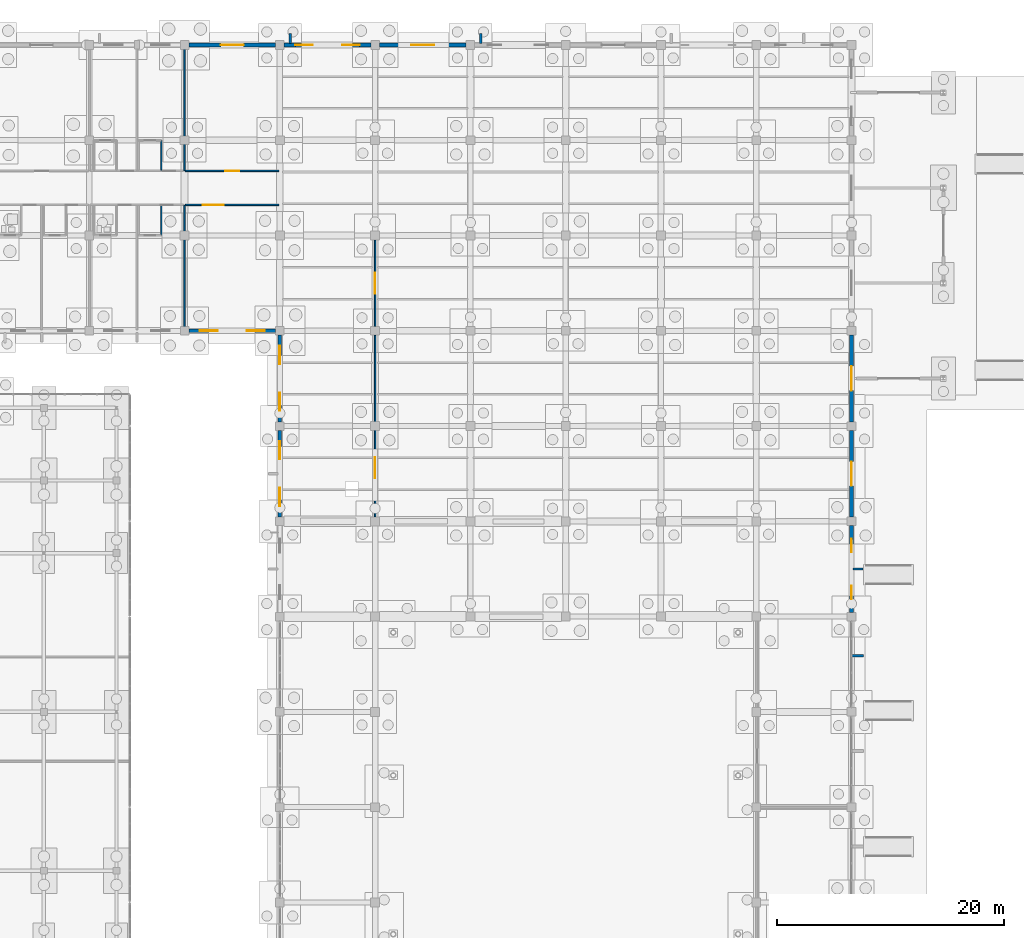
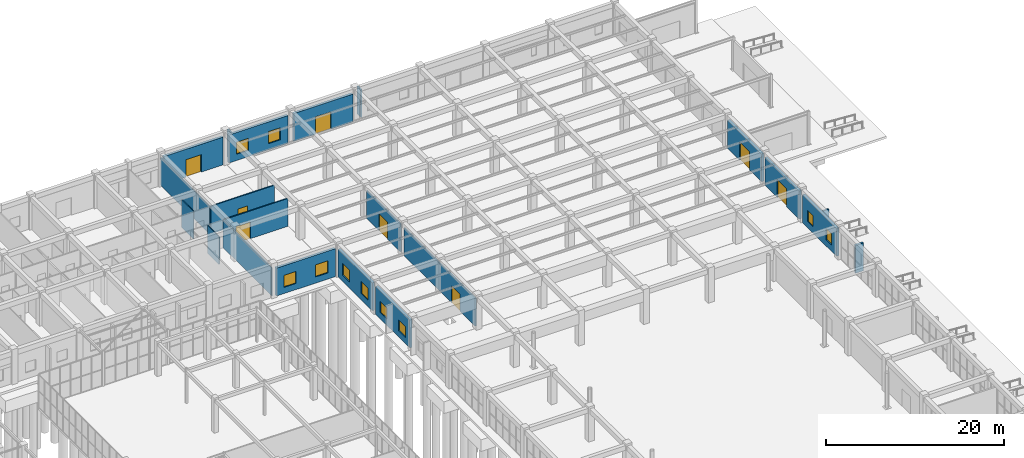
# One storey, part 172 of 192: 21 walls, 10 windows, 8 doors, 18 openings.
"""IFC4 building model written with IfcOpenShell, lengths in metres."""

from ifc_helpers import new_model, si_unit, direction, frame, frame_2d, origin, place, context, subcontext, project, spatial, rectangle, extrude, material, layer, layer_set, type_object, element, fill, save


model = new_model("IFC4")

# Units and contexts
model_context = context("Model", 3, precision=1e-05, world=origin(), true_north=direction((0.0, 1.0)))
body_context = subcontext(model_context, "Body", "Model", "MODEL_VIEW")
ifc_project = project(units=[si_unit("LENGTHUNIT", "METRE"), si_unit("AREAUNIT", "SQUARE_METRE"), si_unit("VOLUMEUNIT", "CUBIC_METRE"), si_unit("PLANEANGLEUNIT", "RADIAN"), si_unit("MASSUNIT", "GRAM", prefix="KILO")], contexts=[model_context])

# Site, building, storey
site_placement = place(None, origin())
site = spatial("IfcSite", under=ifc_project, at=site_placement, CompositionType="ELEMENT")
building_placement = place(site_placement, origin())
building = spatial("IfcBuilding", under=site, at=building_placement, Name="Trelvath General Hospital", CompositionType="ELEMENT")
storey_placement = place(building_placement, origin())
storey = spatial("IfcBuildingStorey", under=building, at=storey_placement, Name="L00", CompositionType="ELEMENT", Elevation=0.0)

# Walls
ifc_material_1 = material(Name="Precast concrete C40/50", Category="concrete")
ifc_layer_1 = layer(ifc_material_1, 0.199951171875)
ifc_layer_set_1 = layer_set([ifc_layer_1], Name="Precast concrete C40/50")
wall_type_1 = type_object("IfcWallType", Name="BriseSoleilRib 200", PredefinedType="ELEMENTEDWALL", material=ifc_layer_set_1)
for number, where, z_axis, x_axis, name in (
    (1, (135.310546875, 117.75, 0.0), (0.0, 0.0, 1.0), (0.0, 1.0, 0.0), "Precast Concrete Brise-Soleil Rib Fin L00-57"),
    (2, (152.110595703125, 117.75, 0.0), (0.0, 0.0, 1.0), (0.0, 1.0, 0.0), "Precast Concrete Brise-Soleil Rib Fin L00-59"),
    (3, (184.949951171875, 71.39990234375, 0.0), (0.0, 0.0, 1.0), (1.0, 0.0, 0.0), "Precast Concrete Brise-Soleil Rib Fin L00-69"),
):
    element("IfcWall", number, at=place(storey_placement, frame(where, z_axis=z_axis, x_axis=x_axis)), inside=storey, type_object=wall_type_1, Name=name, PredefinedType="ELEMENTEDWALL", context=body_context, shape_type="SweptSolid", body=[
        extrude(rectangle(XDim=0.85009765625, YDim=0.199951171875, at=frame_2d((0.425048828125, 0.0))), origin(), (0.0, 0.0, 1.0), 3.800048828125),
    ])

# Wall, opening, door
ifc_material_2 = material(Name="Gypsum acoustic steel-stud partition", Category="steel")
ifc_layer_2 = layer(ifc_material_2, 0.14990234375)
ifc_layer_set_2 = layer_set([ifc_layer_2], Name="Gypsum acoustic steel-stud partition")
wall_type_2 = type_object("IfcWallType", Name="ClinicalPartition 150", PredefinedType="PARTITIONING", material=ifc_layer_set_2)
wall_1_placement = place(storey_placement, frame((126.080078125, 103.5, 0.0), z_axis=(0.0, 0.0, 1.0), x_axis=(1.0, 0.0, 0.0)))
wall_1 = element("IfcWall", 4, at=wall_1_placement, inside=storey, type_object=wall_type_2, Name="Corridor Partition L00-317", PredefinedType="PARTITIONING", context=body_context, shape_type="SweptSolid", body=[
    extrude(rectangle(XDim=8.239990234375, YDim=0.14990234375, at=frame_2d((4.1201171875, 0.0))), origin(), (0.0, 0.0, 1.0), 3.800048828125),
])
opening_1_placement = place(wall_1_placement, frame((1.530029296875, 0.0, 0.0)))
opening_1 = element("IfcOpeningElement", 5, at=opening_1_placement, cuts=wall_1, Name="Opening D-0-0436", PredefinedType="OPENING", context=body_context, shape_type="SweptSolid", body=[
    extrude(rectangle(XDim=1.85009765625, YDim=2.300048828125, at=frame_2d((0.925048828125, 1.14990234375))), frame((0.0, 0.0849609375, 0.0), z_axis=(0.0, -1.0, 0.0), x_axis=(1.0, 0.0, 0.0)), (0.0, 0.0, 1.0), 0.169921875),
])
ifc_material_3 = material(Name="Fire-rated steel cross-corridor pair", Category="steel")
door_type_1 = type_object("IfcDoorType", Name="Door SmokeCross 1850x2300", OperationType="DOUBLE_SWING_LEFT", PredefinedType="DOOR", material=ifc_material_3)
door_1_placement = place(opening_1_placement, origin())
door_1 = element("IfcDoor", 6, at=door_1_placement, inside=storey, type_object=door_type_1, Name="Waiting Lounge Door L00-436", OperationType="DOUBLE_SWING_LEFT", OverallHeight=2.300048828125, OverallWidth=1.85009765625, PredefinedType="DOOR", context=body_context, shape_type="SweptSolid", body=[
    extrude(rectangle(XDim=1.85009765625, YDim=2.300048828125, at=frame_2d((0.925048828125, 1.14990234375))), frame((0.0, 0.02490234375, 0.0), z_axis=(0.0, -1.0, 0.0), x_axis=(1.0, 0.0, 0.0)), (0.0, 0.0, 1.0), 0.050048828125),
])
fill(opening_1, door_1)

wall_2_placement = place(storey_placement, frame((134.320068359375, 106.5, 0.0), z_axis=(0.0, 0.0, 1.0), x_axis=(-1.0, 0.0, 0.0)))
wall_2 = element("IfcWall", 7, at=wall_2_placement, inside=storey, type_object=wall_type_2, Name="Corridor Partition N L00-318", PredefinedType="PARTITIONING", context=body_context, shape_type="SweptSolid", body=[
    extrude(rectangle(XDim=8.239990234375, YDim=0.14990234375, at=frame_2d((4.1201171875, 0.0))), origin(), (0.0, 0.0, 1.0), 3.800048828125),
])
opening_2_placement = place(wall_2_placement, frame((3.4951171875, 0.0, 0.0)))
opening_2 = element("IfcOpeningElement", 8, at=opening_2_placement, cuts=wall_2, Name="Opening D-0-0437", PredefinedType="OPENING", context=body_context, shape_type="SweptSolid", body=[
    extrude(rectangle(XDim=1.25, YDim=2.199951171875, at=frame_2d((0.625, 1.10009765625))), frame((0.0, 0.0849609375, 0.0), z_axis=(0.0, -1.0, 0.0), x_axis=(1.0, 0.0, 0.0)), (0.0, 0.0, 1.0), 0.169921875),
])
ifc_material_4 = material(Name="Acoustic hospital timber leaf", Category="wood")
door_type_2 = type_object("IfcDoorType", Name="Door Treatment 1250x2200", OperationType="NOTDEFINED", PredefinedType="DOOR", material=ifc_material_4)
door_2_placement = place(opening_2_placement, origin())
door_2 = element("IfcDoor", 9, at=door_2_placement, inside=storey, type_object=door_type_2, Name="Clinical Room Door L00-437", OperationType="SINGLE_SWING_LEFT", OverallHeight=2.199951171875, OverallWidth=1.25, PredefinedType="DOOR", context=body_context, shape_type="SweptSolid", body=[
    extrude(rectangle(XDim=1.25, YDim=2.199951171875, at=frame_2d((0.625, 1.10009765625))), frame((0.0, 0.02490234375, 0.0), z_axis=(0.0, -1.0, 0.0), x_axis=(1.0, 0.0, 0.0)), (0.0, 0.0, 1.0), 0.050048828125),
])
fill(opening_2, door_2)

wall_3_placement = place(storey_placement, frame((142.800048828125, 76.0, 0.0), z_axis=(0.0, 0.0, 1.0), x_axis=(0.0, 1.0, 0.0)))
wall_3 = element("IfcWall", 10, at=wall_3_placement, inside=storey, type_object=wall_type_2, Name="ED Triage Partition L00-329", PredefinedType="PARTITIONING", context=body_context, shape_type="SweptSolid", body=[
    extrude(rectangle(XDim=16.0, YDim=0.14990234375, at=frame_2d((8.0, 0.0))), origin(), (0.0, 0.0, 1.0), 3.800048828125),
])
opening_3_placement = place(wall_3_placement, frame((3.39990234375, 0.0, 0.0)))
opening_3 = element("IfcOpeningElement", 11, at=opening_3_placement, cuts=wall_3, Name="Opening D-0-0448", PredefinedType="OPENING", context=body_context, shape_type="SweptSolid", body=[
    extrude(rectangle(XDim=1.85009765625, YDim=2.300048828125, at=frame_2d((0.925048828125, 1.14990234375))), frame((0.0, 0.0849609375, 0.0), z_axis=(0.0, -1.0, 0.0), x_axis=(1.0, 0.0, 0.0)), (0.0, 0.0, 1.0), 0.169921875),
])
door_3_placement = place(opening_3_placement, origin())
door_3 = element("IfcDoor", 12, at=door_3_placement, inside=storey, type_object=door_type_1, Name="ED Triage Door L00-448", OperationType="DOUBLE_SWING_LEFT", OverallHeight=2.300048828125, OverallWidth=1.85009765625, PredefinedType="DOOR", context=body_context, shape_type="SweptSolid", body=[
    extrude(rectangle(XDim=1.85009765625, YDim=2.300048828125, at=frame_2d((0.925048828125, 1.14990234375))), frame((0.0, 0.02490234375, 0.0), z_axis=(0.0, -1.0, 0.0), x_axis=(1.0, 0.0, 0.0)), (0.0, 0.0, 1.0), 0.050048828125),
])
fill(opening_3, door_3)

wall_4_placement = place(storey_placement, frame((142.800048828125, 92.800048828125, 0.0), z_axis=(0.0, 0.0, 1.0), x_axis=(0.0, 1.0, 0.0)))
wall_4 = element("IfcWall", 13, at=wall_4_placement, inside=storey, type_object=wall_type_2, Name="ED Trauma Partition L00-330", PredefinedType="PARTITIONING", context=body_context, shape_type="SweptSolid", body=[
    extrude(rectangle(XDim=7.599853515625, YDim=0.14990234375, at=frame_2d((3.7998046875, 0.0))), origin(), (0.0, 0.0, 1.0), 3.800048828125),
])
opening_4_placement = place(wall_4_placement, frame((2.875, 0.0, 0.0)))
opening_4 = element("IfcOpeningElement", 14, at=opening_4_placement, cuts=wall_4, Name="Opening D-0-0449", PredefinedType="OPENING", context=body_context, shape_type="SweptSolid", body=[
    extrude(rectangle(XDim=1.85009765625, YDim=2.300048828125, at=frame_2d((0.925048828125, 1.14990234375))), frame((0.0, 0.0849609375, 0.0), z_axis=(0.0, -1.0, 0.0), x_axis=(1.0, 0.0, 0.0)), (0.0, 0.0, 1.0), 0.169921875),
])
door_4_placement = place(opening_4_placement, origin())
door_4 = element("IfcDoor", 15, at=door_4_placement, inside=storey, type_object=door_type_1, Name="ED Trauma Door L00-449", OperationType="DOUBLE_SWING_LEFT", OverallHeight=2.300048828125, OverallWidth=1.85009765625, PredefinedType="DOOR", context=body_context, shape_type="SweptSolid", body=[
    extrude(rectangle(XDim=1.85009765625, YDim=2.300048828125, at=frame_2d((0.925048828125, 1.14990234375))), frame((0.0, 0.02490234375, 0.0), z_axis=(0.0, -1.0, 0.0), x_axis=(1.0, 0.0, 0.0)), (0.0, 0.0, 1.0), 0.050048828125),
])
fill(opening_4, door_4)

# Walls
ifc_material_5 = material(Name="Moisture-resistant tile partition")
ifc_layer_3 = layer(ifc_material_5, 0.110107421875)
ifc_layer_set_3 = layer_set([ifc_layer_3], Name="Moisture-resistant tile partition")
wall_type_3 = type_object("IfcWallType", Name="EnSuiteWetWall 110", PredefinedType="PARTITIONING", material=ifc_layer_set_3)
for number, where, z_axis, x_axis, name in (
    (16, (123.93994140625, 100.820068359375, 0.0), (0.0, 0.0, 1.0), (0.0, 1.0, 0.0), "En-Suite E Wall L00-305"),
    (17, (123.93994140625, 106.570068359375, 0.0), (0.0, 0.0, 1.0), (0.0, 1.0, 0.0), "En-Suite E Wall N L00-313"),
):
    element("IfcWall", number, at=place(storey_placement, frame(where, z_axis=z_axis, x_axis=x_axis)), inside=storey, type_object=wall_type_3, Name=name, PredefinedType="PARTITIONING", context=body_context, shape_type="SweptSolid", body=[
        extrude(rectangle(XDim=2.60986328125, YDim=0.110107421875, at=frame_2d((1.304931640625, 0.0))), origin(), (0.0, 0.0, 1.0), 3.800048828125),
    ])

# Wall, openings, windows
ifc_material_6 = material(Name="Concrete C35/45", Category="concrete")
ifc_layer_4 = layer(ifc_material_6, 0.320068359375)
ifc_layer_set_4 = layer_set([ifc_layer_4], Name="Concrete C35/45")
wall_type_4 = type_object("IfcWallType", Name="ExtThermalWall 320", PredefinedType="SOLIDWALL", material=ifc_layer_set_4)
wall_5_placement = place(storey_placement, frame((134.02490234375, 92.39990234375, 0.0), z_axis=(0.0, 0.0, 1.0), x_axis=(-1.0, 0.0, 0.0)))
wall_5 = element("IfcWall", 18, at=wall_5_placement, inside=storey, type_object=wall_type_4, Name="Exterior Concrete Wall L00-84", PredefinedType="SOLIDWALL", context=body_context, shape_type="SweptSolid", body=[
    extrude(rectangle(XDim=7.64990234375, YDim=0.320068359375, at=frame_2d((3.824951171875, 0.0))), origin(), (0.0, 0.0, 1.0), 3.820068359375),
])
opening_5_placement = place(wall_5_placement, frame((0.95947265625, 0.0, 0.85009765625)))
opening_5 = element("IfcOpeningElement", 19, at=opening_5_placement, cuts=wall_5, Name="Opening WN-0-119", PredefinedType="OPENING", context=body_context, shape_type="SweptSolid", body=[
    extrude(rectangle(XDim=1.60009765625, YDim=1.64990234375, at=frame_2d((0.800048828125, 0.824951171875))), frame((0.0, 0.169921875, 0.0), z_axis=(0.0, -1.0, 0.0), x_axis=(1.0, 0.0, 0.0)), (0.0, 0.0, 1.0), 0.340087890625),
])
opening_6_placement = place(wall_5_placement, frame((5.090576171875, 0.0, 0.85009765625)))
opening_6 = element("IfcOpeningElement", 20, at=opening_6_placement, cuts=wall_5, Name="Opening WN-0-120", PredefinedType="OPENING", context=body_context, shape_type="SweptSolid", body=[
    extrude(rectangle(XDim=1.60009765625, YDim=1.64990234375, at=frame_2d((0.800048828125, 0.824951171875))), frame((0.0, 0.169921875, 0.0), z_axis=(0.0, -1.0, 0.0), x_axis=(1.0, 0.0, 0.0)), (0.0, 0.0, 1.0), 0.340087890625),
])
ifc_material_7 = material(Name="Low-E laminated glass", Category="glass")
window_type_1 = type_object("IfcWindowType", Name="Window WardNorth 1600x1650", PartitioningType="DOUBLE_PANEL_VERTICAL", PredefinedType="WINDOW", material=ifc_material_7)
window_1_placement = place(opening_5_placement, origin())
window_1 = element("IfcWindow", 21, at=window_1_placement, inside=storey, type_object=window_type_1, Name="Solar Reveal Window L00-119", OverallHeight=1.64990234375, OverallWidth=1.60009765625, PartitioningType="SINGLE_PANEL", PredefinedType="WINDOW", context=body_context, shape_type="SweptSolid", body=[
    extrude(rectangle(XDim=1.60009765625, YDim=1.64990234375, at=frame_2d((0.800048828125, 0.824951171875))), frame((0.0, 0.030029296875, 0.0), z_axis=(0.0, -1.0, 0.0), x_axis=(1.0, 0.0, 0.0)), (0.0, 0.0, 1.0), 0.06005859375),
])
fill(opening_5, window_1)
window_2_placement = place(opening_6_placement, origin())
window_2 = element("IfcWindow", 22, at=window_2_placement, inside=storey, type_object=window_type_1, Name="Solar Reveal Window L00-120", OverallHeight=1.64990234375, OverallWidth=1.60009765625, PartitioningType="SINGLE_PANEL", PredefinedType="WINDOW", context=body_context, shape_type="SweptSolid", body=[
    extrude(rectangle(XDim=1.60009765625, YDim=1.64990234375, at=frame_2d((0.800048828125, 0.824951171875))), frame((0.0, 0.030029296875, 0.0), z_axis=(0.0, -1.0, 0.0), x_axis=(1.0, 0.0, 0.0)), (0.0, 0.0, 1.0), 0.06005859375),
])
fill(opening_6, window_2)

# Wall, opening, door
wall_6_placement = place(storey_placement, frame((126.375, 117.60009765625, 0.0), z_axis=(0.0, 0.0, 1.0), x_axis=(1.0, 0.0, 0.0)))
wall_6 = element("IfcWall", 23, at=wall_6_placement, inside=storey, type_object=wall_type_4, Name="Exterior Concrete Wall L00-85", PredefinedType="SOLIDWALL", context=body_context, shape_type="SweptSolid", body=[
    extrude(rectangle(XDim=7.64990234375, YDim=0.320068359375, at=frame_2d((3.824951171875, 0.0))), origin(), (0.0, 0.0, 1.0), 3.820068359375),
])
opening_7_placement = place(wall_6_placement, frame((2.824951171875, 0.0, 0.0)))
opening_7 = element("IfcOpeningElement", 24, at=opening_7_placement, cuts=wall_6, Name="Opening E12", PredefinedType="OPENING", context=body_context, shape_type="SweptSolid", body=[
    extrude(rectangle(XDim=2.0, YDim=2.39990234375, at=frame_2d((1.0, 1.199951171875))), frame((0.0, 0.169921875, 0.0), z_axis=(0.0, -1.0, 0.0), x_axis=(1.0, 0.0, 0.0)), (0.0, 0.0, 1.0), 0.340087890625),
])
ifc_material_8 = material(Name="Thermally broken glazed exit pair")
door_type_3 = type_object("IfcDoorType", Name="Door GradeExit 2000x2400", OperationType="DOUBLE_SWING_LEFT", PredefinedType="DOOR", material=ifc_material_8)
door_5_placement = place(opening_7_placement, origin())
door_5 = element("IfcDoor", 25, at=door_5_placement, inside=storey, type_object=door_type_3, Name="Pedestrian Final Exit Door E12", OperationType="DOUBLE_SWING_LEFT", OverallHeight=2.39990234375, OverallWidth=2.0, PredefinedType="DOOR", context=body_context, shape_type="SweptSolid", body=[
    extrude(rectangle(XDim=2.0, YDim=2.39990234375, at=frame_2d((1.0, 1.199951171875))), frame((0.0, 0.02490234375, 0.0), z_axis=(0.0, -1.0, 0.0), x_axis=(1.0, 0.0, 0.0)), (0.0, 0.0, 1.0), 0.050048828125),
])
fill(opening_7, door_5)

# Wall, openings, windows
wall_7_placement = place(storey_placement, frame((134.39990234375, 75.97509765625, 0.0), z_axis=(0.0, 0.0, 1.0), x_axis=(0.0, 1.0, 0.0)))
wall_7 = element("IfcWall", 26, at=wall_7_placement, inside=storey, type_object=wall_type_4, Name="Exterior Concrete Wall L00-88", PredefinedType="SOLIDWALL", context=body_context, shape_type="SweptSolid", body=[
    extrude(rectangle(XDim=7.64990234375, YDim=0.320068359375, at=frame_2d((3.824951171875, 0.0))), origin(), (0.0, 0.0, 1.0), 3.820068359375),
])
opening_8_placement = place(wall_7_placement, frame((0.949462890625, 0.0, 0.85009765625)))
opening_8 = element("IfcOpeningElement", 27, at=opening_8_placement, cuts=wall_7, Name="Opening WN-0-125", PredefinedType="OPENING", context=body_context, shape_type="SweptSolid", body=[
    extrude(rectangle(XDim=1.6201171875, YDim=1.52001953125, at=frame_2d((0.81005859375, 0.760009765625))), frame((0.0, 0.169921875, 0.0), z_axis=(0.0, -1.0, 0.0), x_axis=(1.0, 0.0, 0.0)), (0.0, 0.0, 1.0), 0.340087890625),
])
opening_9_placement = place(wall_7_placement, frame((5.08056640625, 0.0, 0.85009765625)))
opening_9 = element("IfcOpeningElement", 28, at=opening_9_placement, cuts=wall_7, Name="Opening WN-0-126", PredefinedType="OPENING", context=body_context, shape_type="SweptSolid", body=[
    extrude(rectangle(XDim=1.6201171875, YDim=1.52001953125, at=frame_2d((0.81005859375, 0.760009765625))), frame((0.0, 0.169921875, 0.0), z_axis=(0.0, -1.0, 0.0), x_axis=(1.0, 0.0, 0.0)), (0.0, 0.0, 1.0), 0.340087890625),
])
ifc_material_9 = material(Name="Low-E laminated glass", Category="glass")
window_type_2 = type_object("IfcWindowType", Name="Window Triage 1620x1520", PartitioningType="DOUBLE_PANEL_VERTICAL", PredefinedType="WINDOW", material=ifc_material_9)
window_3_placement = place(opening_8_placement, origin())
window_3 = element("IfcWindow", 29, at=window_3_placement, inside=storey, type_object=window_type_2, Name="Solar Reveal Window L00-125", OverallHeight=1.52001953125, OverallWidth=1.6201171875, PartitioningType="SINGLE_PANEL", PredefinedType="WINDOW", context=body_context, shape_type="SweptSolid", body=[
    extrude(rectangle(XDim=1.6201171875, YDim=1.52001953125, at=frame_2d((0.81005859375, 0.760009765625))), frame((0.0, 0.030029296875, 0.0), z_axis=(0.0, -1.0, 0.0), x_axis=(1.0, 0.0, 0.0)), (0.0, 0.0, 1.0), 0.06005859375),
])
fill(opening_8, window_3)
window_4_placement = place(opening_9_placement, origin())
window_4 = element("IfcWindow", 30, at=window_4_placement, inside=storey, type_object=window_type_2, Name="Solar Reveal Window L00-126", OverallHeight=1.52001953125, OverallWidth=1.6201171875, PartitioningType="SINGLE_PANEL", PredefinedType="WINDOW", context=body_context, shape_type="SweptSolid", body=[
    extrude(rectangle(XDim=1.6201171875, YDim=1.52001953125, at=frame_2d((0.81005859375, 0.760009765625))), frame((0.0, 0.030029296875, 0.0), z_axis=(0.0, -1.0, 0.0), x_axis=(1.0, 0.0, 0.0)), (0.0, 0.0, 1.0), 0.06005859375),
])
fill(opening_9, window_4)

wall_8_placement = place(storey_placement, frame((134.39990234375, 84.375, 0.0), z_axis=(0.0, 0.0, 1.0), x_axis=(0.0, 1.0, 0.0)))
wall_8 = element("IfcWall", 31, at=wall_8_placement, inside=storey, type_object=wall_type_4, Name="Exterior Concrete Wall L00-89", PredefinedType="SOLIDWALL", context=body_context, shape_type="SweptSolid", body=[
    extrude(rectangle(XDim=7.64990234375, YDim=0.320068359375, at=frame_2d((3.824951171875, 0.0))), origin(), (0.0, 0.0, 1.0), 3.820068359375),
])
opening_10_placement = place(wall_8_placement, frame((0.95947265625, 0.0, 0.85009765625)))
opening_10 = element("IfcOpeningElement", 32, at=opening_10_placement, cuts=wall_8, Name="Opening WN-0-127", PredefinedType="OPENING", context=body_context, shape_type="SweptSolid", body=[
    extrude(rectangle(XDim=1.60009765625, YDim=1.64990234375, at=frame_2d((0.800048828125, 0.824951171875))), frame((0.0, 0.169921875, 0.0), z_axis=(0.0, -1.0, 0.0), x_axis=(1.0, 0.0, 0.0)), (0.0, 0.0, 1.0), 0.340087890625),
])
opening_11_placement = place(wall_8_placement, frame((5.090576171875, 0.0, 0.85009765625)))
opening_11 = element("IfcOpeningElement", 33, at=opening_11_placement, cuts=wall_8, Name="Opening WN-0-128", PredefinedType="OPENING", context=body_context, shape_type="SweptSolid", body=[
    extrude(rectangle(XDim=1.60009765625, YDim=1.64990234375, at=frame_2d((0.800048828125, 0.824951171875))), frame((0.0, 0.169921875, 0.0), z_axis=(0.0, -1.0, 0.0), x_axis=(1.0, 0.0, 0.0)), (0.0, 0.0, 1.0), 0.340087890625),
])
window_5_placement = place(opening_10_placement, origin())
window_5 = element("IfcWindow", 34, at=window_5_placement, inside=storey, type_object=window_type_1, Name="Solar Reveal Window L00-127", OverallHeight=1.64990234375, OverallWidth=1.60009765625, PartitioningType="SINGLE_PANEL", PredefinedType="WINDOW", context=body_context, shape_type="SweptSolid", body=[
    extrude(rectangle(XDim=1.60009765625, YDim=1.64990234375, at=frame_2d((0.800048828125, 0.824951171875))), frame((0.0, 0.030029296875, 0.0), z_axis=(0.0, -1.0, 0.0), x_axis=(1.0, 0.0, 0.0)), (0.0, 0.0, 1.0), 0.06005859375),
])
fill(opening_10, window_5)
window_6_placement = place(opening_11_placement, origin())
window_6 = element("IfcWindow", 35, at=window_6_placement, inside=storey, type_object=window_type_1, Name="Solar Reveal Window L00-128", OverallHeight=1.64990234375, OverallWidth=1.60009765625, PartitioningType="SINGLE_PANEL", PredefinedType="WINDOW", context=body_context, shape_type="SweptSolid", body=[
    extrude(rectangle(XDim=1.60009765625, YDim=1.64990234375, at=frame_2d((0.800048828125, 0.824951171875))), frame((0.0, 0.030029296875, 0.0), z_axis=(0.0, -1.0, 0.0), x_axis=(1.0, 0.0, 0.0)), (0.0, 0.0, 1.0), 0.06005859375),
])
fill(opening_11, window_6)

wall_9_placement = place(storey_placement, frame((134.77490234375, 117.60009765625, 0.0), z_axis=(0.0, 0.0, 1.0), x_axis=(1.0, 0.0, 0.0)))
wall_9 = element("IfcWall", 36, at=wall_9_placement, inside=storey, type_object=wall_type_4, Name="Exterior Concrete Wall L00-90", PredefinedType="SOLIDWALL", context=body_context, shape_type="SweptSolid", body=[
    extrude(rectangle(XDim=7.650146484375, YDim=0.320068359375, at=frame_2d((3.8251953125, 0.0))), origin(), (0.0, 0.0, 1.0), 3.820068359375),
])
opening_12_placement = place(wall_9_placement, frame((0.99951171875, 0.0, 0.85009765625)))
opening_12 = element("IfcOpeningElement", 37, at=opening_12_placement, cuts=wall_9, Name="Opening WN-0-129", PredefinedType="OPENING", context=body_context, shape_type="SweptSolid", body=[
    extrude(rectangle(XDim=1.52001953125, YDim=1.64990234375, at=frame_2d((0.760009765625, 0.824951171875))), frame((0.0, 0.169921875, 0.0), z_axis=(0.0, -1.0, 0.0), x_axis=(1.0, 0.0, 0.0)), (0.0, 0.0, 1.0), 0.340087890625),
])
opening_13_placement = place(wall_9_placement, frame((5.130615234375, 0.0, 0.85009765625)))
opening_13 = element("IfcOpeningElement", 38, at=opening_13_placement, cuts=wall_9, Name="Opening WN-0-130", PredefinedType="OPENING", context=body_context, shape_type="SweptSolid", body=[
    extrude(rectangle(XDim=1.52001953125, YDim=1.64990234375, at=frame_2d((0.760009765625, 0.824951171875))), frame((0.0, 0.169921875, 0.0), z_axis=(0.0, -1.0, 0.0), x_axis=(1.0, 0.0, 0.0)), (0.0, 0.0, 1.0), 0.340087890625),
])
ifc_material_10 = material(Name="Low-E laminated glass", Category="glass")
window_type_3 = type_object("IfcWindowType", Name="Window WardNorth 1520x1650", PartitioningType="DOUBLE_PANEL_VERTICAL", PredefinedType="WINDOW", material=ifc_material_10)
window_7_placement = place(opening_12_placement, origin())
window_7 = element("IfcWindow", 39, at=window_7_placement, inside=storey, type_object=window_type_3, Name="Solar Reveal Window L00-129", OverallHeight=1.64990234375, OverallWidth=1.52001953125, PartitioningType="SINGLE_PANEL", PredefinedType="WINDOW", context=body_context, shape_type="SweptSolid", body=[
    extrude(rectangle(XDim=1.52001953125, YDim=1.64990234375, at=frame_2d((0.760009765625, 0.824951171875))), frame((0.0, 0.030029296875, 0.0), z_axis=(0.0, -1.0, 0.0), x_axis=(1.0, 0.0, 0.0)), (0.0, 0.0, 1.0), 0.06005859375),
])
fill(opening_12, window_7)
window_8_placement = place(opening_13_placement, origin())
window_8 = element("IfcWindow", 40, at=window_8_placement, inside=storey, type_object=window_type_3, Name="Solar Reveal Window L00-130", OverallHeight=1.64990234375, OverallWidth=1.52001953125, PartitioningType="SINGLE_PANEL", PredefinedType="WINDOW", context=body_context, shape_type="SweptSolid", body=[
    extrude(rectangle(XDim=1.52001953125, YDim=1.64990234375, at=frame_2d((0.760009765625, 0.824951171875))), frame((0.0, 0.030029296875, 0.0), z_axis=(0.0, -1.0, 0.0), x_axis=(1.0, 0.0, 0.0)), (0.0, 0.0, 1.0), 0.06005859375),
])
fill(opening_13, window_8)

# Wall, opening, door
wall_10_placement = place(storey_placement, frame((143.175048828125, 117.60009765625, 0.0), z_axis=(0.0, 0.0, 1.0), x_axis=(1.0, 0.0, 0.0)))
wall_10 = element("IfcWall", 41, at=wall_10_placement, inside=storey, type_object=wall_type_4, Name="Exterior Concrete Wall L00-92", PredefinedType="SOLIDWALL", context=body_context, shape_type="SweptSolid", body=[
    extrude(rectangle(XDim=7.64990234375, YDim=0.320068359375, at=frame_2d((3.824951171875, 0.0))), origin(), (0.0, 0.0, 1.0), 3.820068359375),
])
opening_14_placement = place(wall_10_placement, frame((2.824951171875, 0.0, 0.0)))
opening_14 = element("IfcOpeningElement", 42, at=opening_14_placement, cuts=wall_10, Name="Opening E14", PredefinedType="OPENING", context=body_context, shape_type="SweptSolid", body=[
    extrude(rectangle(XDim=2.0, YDim=2.39990234375, at=frame_2d((1.0, 1.199951171875))), frame((0.0, 0.169921875, 0.0), z_axis=(0.0, -1.0, 0.0), x_axis=(1.0, 0.0, 0.0)), (0.0, 0.0, 1.0), 0.340087890625),
])
door_6_placement = place(opening_14_placement, origin())
door_6 = element("IfcDoor", 43, at=door_6_placement, inside=storey, type_object=door_type_3, Name="Pedestrian Final Exit Door E14", OperationType="DOUBLE_SWING_LEFT", OverallHeight=2.39990234375, OverallWidth=2.0, PredefinedType="DOOR", context=body_context, shape_type="SweptSolid", body=[
    extrude(rectangle(XDim=2.0, YDim=2.39990234375, at=frame_2d((1.0, 1.199951171875))), frame((0.0, 0.02490234375, 0.0), z_axis=(0.0, -1.0, 0.0), x_axis=(1.0, 0.0, 0.0)), (0.0, 0.0, 1.0), 0.050048828125),
])
fill(opening_14, door_6)

# Wall, openings, windows
wall_11_placement = place(storey_placement, frame((184.800048828125, 75.22509765625, 0.0), z_axis=(0.0, 0.0, 1.0), x_axis=(0.0, -1.0, 0.0)))
wall_11 = element("IfcWall", 44, at=wall_11_placement, inside=storey, type_object=wall_type_4, Name="Exterior Concrete Wall L00-101", PredefinedType="SOLIDWALL", context=body_context, shape_type="SweptSolid", body=[
    extrude(rectangle(XDim=7.650146484375, YDim=0.320068359375, at=frame_2d((3.8251953125, 0.0))), origin(), (0.0, 0.0, 1.0), 3.820068359375),
])
opening_15_placement = place(wall_11_placement, frame((1.159423828125, 0.0, 0.85009765625)))
opening_15 = element("IfcOpeningElement", 45, at=opening_15_placement, cuts=wall_11, Name="Opening WN-0-143", PredefinedType="OPENING", context=body_context, shape_type="SweptSolid", body=[
    extrude(rectangle(XDim=1.199951171875, YDim=1.550048828125, at=frame_2d((0.60009765625, 0.77490234375))), frame((0.0, 0.169921875, 0.0), z_axis=(0.0, -1.0, 0.0), x_axis=(1.0, 0.0, 0.0)), (0.0, 0.0, 1.0), 0.340087890625),
])
opening_16_placement = place(wall_11_placement, frame((5.29052734375, 0.0, 0.85009765625)))
opening_16 = element("IfcOpeningElement", 46, at=opening_16_placement, cuts=wall_11, Name="Opening WN-0-144", PredefinedType="OPENING", context=body_context, shape_type="SweptSolid", body=[
    extrude(rectangle(XDim=1.199951171875, YDim=1.550048828125, at=frame_2d((0.60009765625, 0.77490234375))), frame((0.0, 0.169921875, 0.0), z_axis=(0.0, -1.0, 0.0), x_axis=(1.0, 0.0, 0.0)), (0.0, 0.0, 1.0), 0.340087890625),
])
ifc_material_11 = material(Name="Low-E laminated glass", Category="glass")
window_type_4 = type_object("IfcWindowType", Name="Window WardSouth 1200x1550", PartitioningType="SINGLE_PANEL", PredefinedType="WINDOW", material=ifc_material_11)
window_9_placement = place(opening_15_placement, origin())
window_9 = element("IfcWindow", 47, at=window_9_placement, inside=storey, type_object=window_type_4, Name="Solar Reveal Window L00-143", OverallHeight=1.550048828125, OverallWidth=1.199951171875, PartitioningType="SINGLE_PANEL", PredefinedType="WINDOW", context=body_context, shape_type="SweptSolid", body=[
    extrude(rectangle(XDim=1.199951171875, YDim=1.550048828125, at=frame_2d((0.60009765625, 0.77490234375))), frame((0.0, 0.030029296875, 0.0), z_axis=(0.0, -1.0, 0.0), x_axis=(1.0, 0.0, 0.0)), (0.0, 0.0, 1.0), 0.06005859375),
])
fill(opening_15, window_9)
window_10_placement = place(opening_16_placement, origin())
window_10 = element("IfcWindow", 48, at=window_10_placement, inside=storey, type_object=window_type_4, Name="Solar Reveal Window L00-144", OverallHeight=1.550048828125, OverallWidth=1.199951171875, PartitioningType="SINGLE_PANEL", PredefinedType="WINDOW", context=body_context, shape_type="SweptSolid", body=[
    extrude(rectangle(XDim=1.199951171875, YDim=1.550048828125, at=frame_2d((0.60009765625, 0.77490234375))), frame((0.0, 0.030029296875, 0.0), z_axis=(0.0, -1.0, 0.0), x_axis=(1.0, 0.0, 0.0)), (0.0, 0.0, 1.0), 0.06005859375),
])
fill(opening_16, window_10)

# Wall, opening, door
wall_12_placement = place(storey_placement, frame((184.800048828125, 83.625, 0.0), z_axis=(0.0, 0.0, 1.0), x_axis=(0.0, -1.0, 0.0)))
wall_12 = element("IfcWall", 49, at=wall_12_placement, inside=storey, type_object=wall_type_4, Name="Exterior Concrete Wall L00-102", PredefinedType="SOLIDWALL", context=body_context, shape_type="SweptSolid", body=[
    extrude(rectangle(XDim=7.64990234375, YDim=0.320068359375, at=frame_2d((3.824951171875, 0.0))), origin(), (0.0, 0.0, 1.0), 3.820068359375),
])
opening_17_placement = place(wall_12_placement, frame((2.75, 0.0, 0.0)))
opening_17 = element("IfcOpeningElement", 50, at=opening_17_placement, cuts=wall_12, Name="Opening VD-A01", PredefinedType="OPENING", context=body_context, shape_type="SweptSolid", body=[
    extrude(rectangle(XDim=2.14990234375, YDim=2.5, at=frame_2d((1.074951171875, 1.25))), frame((0.0, 0.169921875, 0.0), z_axis=(0.0, -1.0, 0.0), x_axis=(1.0, 0.0, 0.0)), (0.0, 0.0, 1.0), 0.340087890625),
])
ifc_material_12 = material(Name="Automatic glazed trauma bay sliding door")
door_type_4 = type_object("IfcDoorType", Name="Door VehicleService 2150x2500", OperationType="SLIDING_TO_LEFT", PredefinedType="DOOR", material=ifc_material_12)
door_7_placement = place(opening_17_placement, origin())
door_7 = element("IfcDoor", 51, at=door_7_placement, inside=storey, type_object=door_type_4, Name="Vehicle Ambulance Trauma Bay Door 1", OperationType="SLIDING_TO_LEFT", OverallHeight=2.5, OverallWidth=2.14990234375, PredefinedType="DOOR", context=body_context, shape_type="SweptSolid", body=[
    extrude(rectangle(XDim=2.14990234375, YDim=2.5, at=frame_2d((1.074951171875, 1.25))), frame((0.0, 0.02490234375, 0.0), z_axis=(0.0, -1.0, 0.0), x_axis=(1.0, 0.0, 0.0)), (0.0, 0.0, 1.0), 0.050048828125),
])
fill(opening_17, door_7)

wall_13_placement = place(storey_placement, frame((184.800048828125, 92.02490234375, 0.0), z_axis=(0.0, 0.0, 1.0), x_axis=(0.0, -1.0, 0.0)))
wall_13 = element("IfcWall", 52, at=wall_13_placement, inside=storey, type_object=wall_type_4, Name="Exterior Concrete Wall L00-103", PredefinedType="SOLIDWALL", context=body_context, shape_type="SweptSolid", body=[
    extrude(rectangle(XDim=7.64990234375, YDim=0.320068359375, at=frame_2d((3.824951171875, 0.0))), origin(), (0.0, 0.0, 1.0), 3.820068359375),
])
opening_18_placement = place(wall_13_placement, frame((2.75, 0.0, 0.0)))
opening_18 = element("IfcOpeningElement", 53, at=opening_18_placement, cuts=wall_13, Name="Opening VD-A02", PredefinedType="OPENING", context=body_context, shape_type="SweptSolid", body=[
    extrude(rectangle(XDim=2.14990234375, YDim=2.5, at=frame_2d((1.074951171875, 1.25))), frame((0.0, 0.169921875, 0.0), z_axis=(0.0, -1.0, 0.0), x_axis=(1.0, 0.0, 0.0)), (0.0, 0.0, 1.0), 0.340087890625),
])
door_8_placement = place(opening_18_placement, origin())
door_8 = element("IfcDoor", 54, at=door_8_placement, inside=storey, type_object=door_type_4, Name="Vehicle Ambulance Trauma Bay Door 2", OperationType="SLIDING_TO_LEFT", OverallHeight=2.5, OverallWidth=2.14990234375, PredefinedType="DOOR", context=body_context, shape_type="SweptSolid", body=[
    extrude(rectangle(XDim=2.14990234375, YDim=2.5, at=frame_2d((1.074951171875, 1.25))), frame((0.0, 0.02490234375, 0.0), z_axis=(0.0, -1.0, 0.0), x_axis=(1.0, 0.0, 0.0)), (0.0, 0.0, 1.0), 0.050048828125),
])
fill(opening_18, door_8)

# Walls
ifc_material_13 = material(Name="Precast concrete C40/50", Category="concrete")
ifc_layer_5 = layer(ifc_material_13, 0.260009765625)
ifc_layer_set_5 = layer_set([ifc_layer_5], Name="Precast concrete C40/50")
wall_type_5 = type_object("IfcWallType", Name="StreetArcadeFin 260", PredefinedType="ELEMENTEDWALL", material=ifc_layer_set_5)
wall_14_placement = place(storey_placement, frame((184.820068359375, 63.75, 0.0), z_axis=(0.0, 0.0, 1.0), x_axis=(1.0, 0.0, 0.0)))
element("IfcWall", 55, at=wall_14_placement, inside=storey, type_object=wall_type_5, Name="Sculpted Concrete Street Arcade Fin L00-68", PredefinedType="ELEMENTEDWALL", context=body_context, shape_type="SweptSolid", body=[
    extrude(rectangle(XDim=1.030029296875, YDim=0.260009765625, at=frame_2d((0.51513671875, 0.0))), origin(), (0.0, 0.0, 1.0), 3.820068359375),
])
ifc_material_14 = material(Name="Gypsum acoustic steel-stud partition", Category="steel")
ifc_layer_6 = layer(ifc_material_14, 0.1298828125)
ifc_layer_set_6 = layer_set([ifc_layer_6], Name="Gypsum acoustic steel-stud partition")
wall_type_6 = type_object("IfcWallType", Name="WardPartition 130", PredefinedType="PARTITIONING", material=ifc_layer_set_6)
for number, where, z_axis, x_axis, name in (
    (56, (126.0, 92.5400390625, 0.0), (0.0, 0.0, 1.0), (0.0, 1.0, 0.0), "Inter-Bay Ward Partition S L00-315"),
    (57, (126.0, 106.52001953125, 0.0), (0.0, 0.0, 1.0), (0.0, 1.0, 0.0), "Inter-Bay Ward Partition N L00-316"),
):
    element("IfcWall", number, at=place(storey_placement, frame(where, z_axis=z_axis, x_axis=x_axis)), inside=storey, type_object=wall_type_6, Name=name, PredefinedType="PARTITIONING", context=body_context, shape_type="SweptSolid", body=[
        extrude(rectangle(XDim=10.93994140625, YDim=0.1298828125, at=frame_2d((5.469970703125, 0.0))), origin(), (0.0, 0.0, 1.0), 3.800048828125),
    ])

save(model, "model.ifc")
